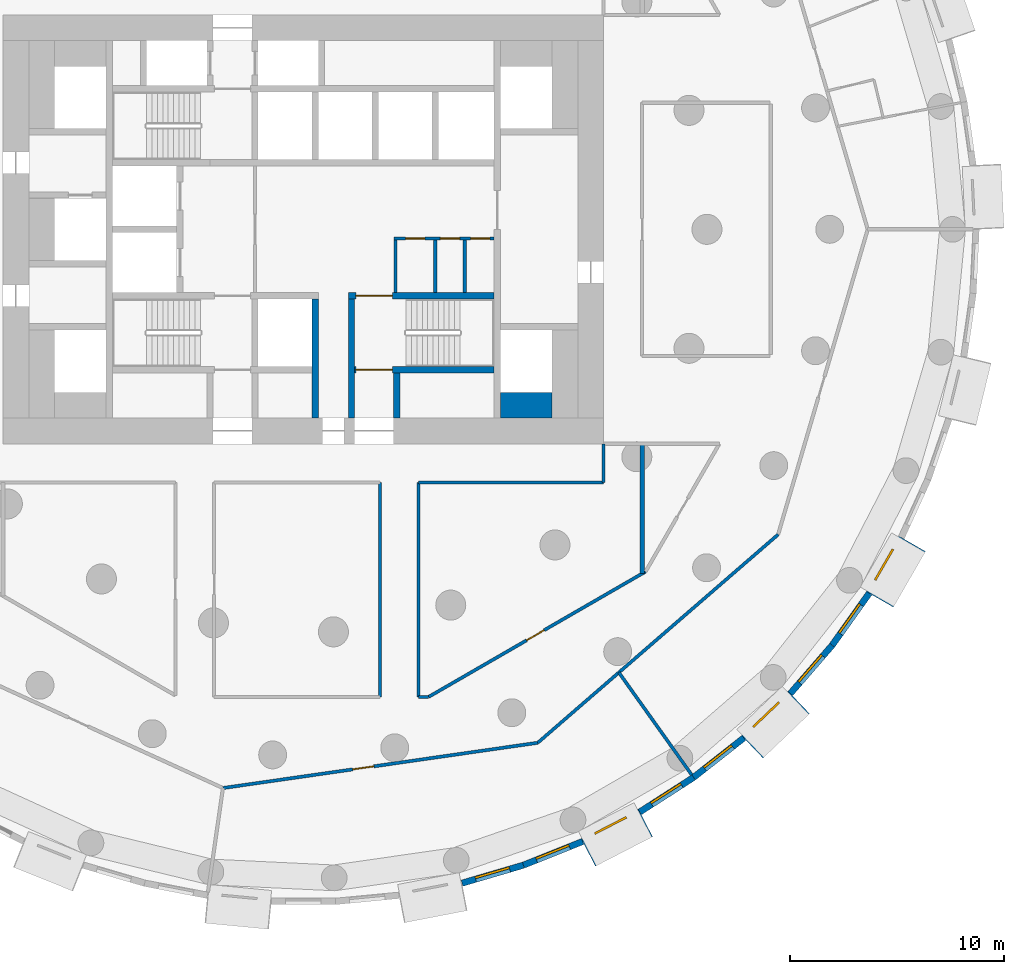
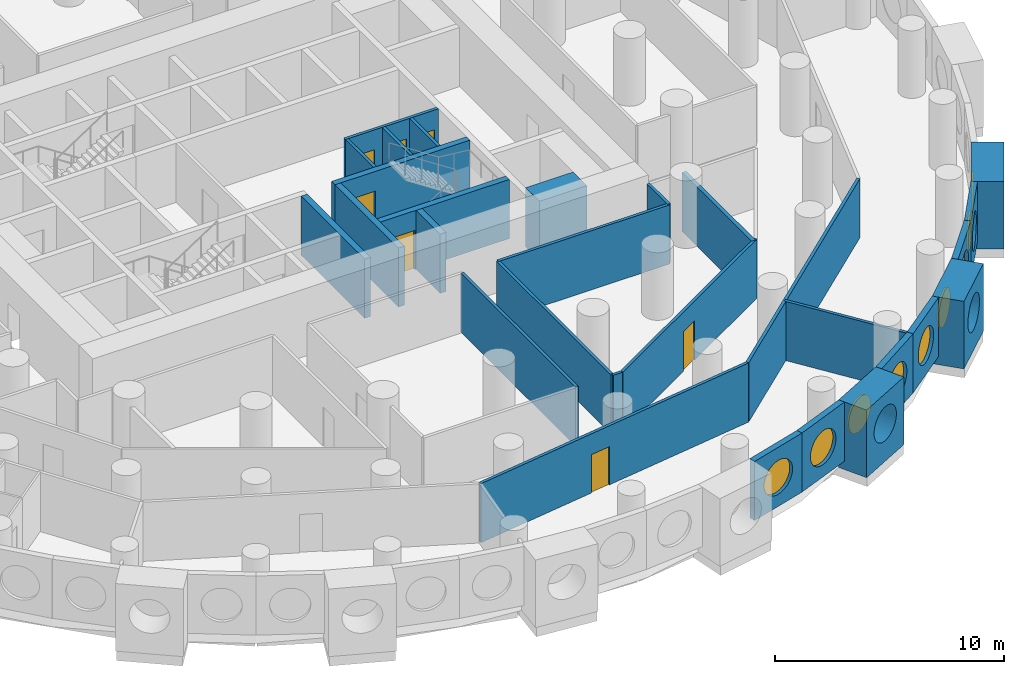
# One storey, part 5 of 12: 29 walls, 9 windows, 7 doors, 16 openings.
"""IFC4 building model written with IfcOpenShell, lengths in metres."""

from ifc_helpers import new_model, si_unit, direction, frame, frame_2d, origin, origin_2d, place, context, subcontext, project, spatial, rectangle, circle, extrude, material, layer, layer_set, type_object, element, fill, save


model = new_model("IFC4")

# Units and contexts
model_context = context("Model", 3, precision=1e-05, world=origin(), true_north=direction((0.0, 1.0)))
body_context = subcontext(model_context, "Body", "Model", "MODEL_VIEW")
ifc_project = project(units=[si_unit("LENGTHUNIT", "METRE"), si_unit("AREAUNIT", "SQUARE_METRE"), si_unit("VOLUMEUNIT", "CUBIC_METRE"), si_unit("PLANEANGLEUNIT", "RADIAN"), si_unit("MASSUNIT", "GRAM", prefix="KILO")], contexts=[model_context])

# Site, building, storey
site_placement = place(None, origin())
site = spatial("IfcSite", under=ifc_project, at=site_placement, CompositionType="ELEMENT")
building_placement = place(site_placement, origin())
building = spatial("IfcBuilding", under=site, at=building_placement, Name="Tracery Tower", CompositionType="ELEMENT")
storey_placement = place(building_placement, frame((0.0, 0.0, 82.199951171875)))
storey = spatial("IfcBuildingStorey", under=building, at=storey_placement, Name="L20", CompositionType="ELEMENT", Elevation=82.199951171875)

# Wall
ifc_material_1 = material(Name="Plasterboard on steel studs", Category="steel")
ifc_layer_1 = layer(ifc_material_1, 0.14990234375)
ifc_layer_set_1 = layer_set([ifc_layer_1], Name="Core room partition 150")
wall_type_1 = type_object("IfcWallType", Name="Core room partition 150", PredefinedType="SOLIDWALL", material=ifc_layer_set_1)
wall_1_placement = place(storey_placement, frame((4.300048828125, -2.949951171875, 0.0), z_axis=(0.0, 0.0, 1.0), x_axis=(0.0, 1.0, 0.0)))
element("IfcWall", 1, at=wall_1_placement, inside=storey, type_object=wall_type_1, Name="L20 slot W", PredefinedType="SOLIDWALL", context=body_context, shape_type="SweptSolid", body=[
    extrude(rectangle(XDim=2.449951171875, YDim=0.14990234375, at=frame_2d((1.22509765625, 0.0))), origin(), (0.0, 0.0, 1.0), 3.150146484375),
])

# Wall, openings, doors
wall_2_placement = place(storey_placement, frame((4.22509765625, -0.425048828125, 0.0), z_axis=(0.0, 0.0, 1.0), x_axis=(1.0, 0.0, 0.0)))
wall_2 = element("IfcWall", 2, at=wall_2_placement, inside=storey, type_object=wall_type_1, Name="L20 slot N", PredefinedType="SOLIDWALL", context=body_context, shape_type="SweptSolid", body=[
    extrude(rectangle(XDim=4.6748046875, YDim=0.14990234375, at=frame_2d((2.33740234375, 0.0))), origin(), (0.0, 0.0, 1.0), 3.150146484375),
])
opening_1_placement = place(wall_2_placement, frame((0.550048828125, 0.0, 0.0)))
opening_1 = element("IfcOpeningElement", 3, at=opening_1_placement, cuts=wall_2, Name="Opening KD22", PredefinedType="OPENING", context=body_context, shape_type="SweptSolid", body=[
    extrude(rectangle(XDim=0.89990234375, YDim=2.10009765625, at=frame_2d((0.449951171875, 1.050048828125))), frame((0.0, 0.074951171875, 0.0), z_axis=(0.0, -1.0, 0.0), x_axis=(1.0, 0.0, 0.0)), (0.0, 0.0, 1.0), 0.14990234375),
])
opening_2_placement = place(wall_2_placement, frame((2.16259765625, 0.0, 0.0)))
opening_2 = element("IfcOpeningElement", 4, at=opening_2_placement, cuts=wall_2, Name="Opening KD31", PredefinedType="OPENING", context=body_context, shape_type="SweptSolid", body=[
    extrude(rectangle(XDim=0.89990234375, YDim=2.10009765625, at=frame_2d((0.449951171875, 1.050048828125))), frame((0.0, 0.074951171875, 0.0), z_axis=(0.0, -1.0, 0.0), x_axis=(1.0, 0.0, 0.0)), (0.0, 0.0, 1.0), 0.14990234375),
])
opening_3_placement = place(wall_2_placement, frame((3.574951171875, 0.0, 0.0)))
opening_3 = element("IfcOpeningElement", 5, at=opening_3_placement, cuts=wall_2, Name="Opening KD27", PredefinedType="OPENING", context=body_context, shape_type="SweptSolid", body=[
    extrude(rectangle(XDim=0.89990234375, YDim=2.10009765625, at=frame_2d((0.449951171875, 1.050048828125))), frame((0.0, 0.074951171875, 0.0), z_axis=(0.0, -1.0, 0.0), x_axis=(1.0, 0.0, 0.0)), (0.0, 0.0, 1.0), 0.14990234375),
])
ifc_material_2 = material(Name="Timber door leaf", Category="wood")
door_type_1 = type_object("IfcDoorType", Name="Core WC door 900", OperationType="NOTDEFINED", PredefinedType="DOOR", material=ifc_material_2)
door_1_placement = place(opening_1_placement, origin())
door_1 = element("IfcDoor", 6, at=door_1_placement, inside=storey, type_object=door_type_1, Name="Core door", OperationType="SINGLE_SWING_RIGHT", OverallHeight=2.10009765625, OverallWidth=0.89990234375, PredefinedType="DOOR", context=body_context, shape_type="SweptSolid", body=[
    extrude(rectangle(XDim=0.89990234375, YDim=2.10009765625, at=frame_2d((0.449951171875, 1.050048828125))), frame((0.0, 0.02490234375, 0.0), z_axis=(0.0, -1.0, 0.0), x_axis=(1.0, 0.0, 0.0)), (0.0, 0.0, 1.0), 0.050048828125),
])
fill(opening_1, door_1)
ifc_material_3 = material(Name="Steel fire door", Category="steel")
door_type_2 = type_object("IfcDoorType", Name="Core riser door 900", OperationType="NOTDEFINED", PredefinedType="DOOR", material=ifc_material_3)
door_2_placement = place(opening_2_placement, origin())
door_2 = element("IfcDoor", 7, at=door_2_placement, inside=storey, type_object=door_type_2, Name="Core door", OperationType="SINGLE_SWING_LEFT", OverallHeight=2.10009765625, OverallWidth=0.89990234375, PredefinedType="DOOR", context=body_context, shape_type="SweptSolid", body=[
    extrude(rectangle(XDim=0.89990234375, YDim=2.10009765625, at=frame_2d((0.449951171875, 1.050048828125))), frame((0.0, 0.02490234375, 0.0), z_axis=(0.0, -1.0, 0.0), x_axis=(1.0, 0.0, 0.0)), (0.0, 0.0, 1.0), 0.050048828125),
])
fill(opening_2, door_2)
ifc_material_4 = material(Name="Timber door leaf", Category="wood")
door_type_3 = type_object("IfcDoorType", Name="Core store door 900", OperationType="NOTDEFINED", PredefinedType="DOOR", material=ifc_material_4)
door_3_placement = place(opening_3_placement, origin())
door_3 = element("IfcDoor", 8, at=door_3_placement, inside=storey, type_object=door_type_3, Name="Core door", OperationType="SINGLE_SWING_RIGHT", OverallHeight=2.10009765625, OverallWidth=0.89990234375, PredefinedType="DOOR", context=body_context, shape_type="SweptSolid", body=[
    extrude(rectangle(XDim=0.89990234375, YDim=2.10009765625, at=frame_2d((0.449951171875, 1.050048828125))), frame((0.0, 0.02490234375, 0.0), z_axis=(0.0, -1.0, 0.0), x_axis=(1.0, 0.0, 0.0)), (0.0, 0.0, 1.0), 0.050048828125),
])
fill(opening_3, door_3)

# Walls
for number, where, z_axis, x_axis, name in (
    (9, (6.14990234375, -2.949951171875, 0.0), (0.0, 0.0, 1.0), (0.0, 1.0, 0.0), "L20 slot sep 1"),
    (10, (7.52490234375, -2.949951171875, 0.0), (0.0, 0.0, 1.0), (0.0, 1.0, 0.0), "L20 slot sep 2"),
):
    element("IfcWall", number, at=place(storey_placement, frame(where, z_axis=z_axis, x_axis=x_axis)), inside=storey, type_object=wall_type_1, Name=name, PredefinedType="SOLIDWALL", context=body_context, shape_type="SweptSolid", body=[
        extrude(rectangle(XDim=2.449951171875, YDim=0.14990234375, at=frame_2d((1.22509765625, 0.0))), origin(), (0.0, 0.0, 1.0), 3.150146484375),
    ])
ifc_material_5 = material(Name="Concrete C60/75", Category="concrete")
ifc_layer_2 = layer(ifc_material_5, 1.199951171875)
ifc_layer_set_2 = layer_set([ifc_layer_2], Name="Core strip wall 1200 C60")
wall_type_2 = type_object("IfcWallType", Name="Core strip wall 1200 C60", PredefinedType="SOLIDWALL", material=ifc_layer_set_2)
wall_3_placement = place(storey_placement, frame((9.199951171875, -8.199951171875, 0.0), z_axis=(0.0, 0.0, 1.0), x_axis=(1.0, 0.0, 0.0)))
element("IfcWall", 11, at=wall_3_placement, inside=storey, type_object=wall_type_2, Name="L20 wing corner +1 -8.2", PredefinedType="SOLIDWALL", context=body_context, shape_type="SweptSolid", body=[
    extrude(rectangle(XDim=2.400146484375, YDim=1.199951171875, at=frame_2d((1.2001953125, 0.0))), origin(), (0.0, 0.0, 1.0), 3.150146484375),
])

# Wall, opening, window
ifc_material_6 = material(Name="Precast concrete C50/60", Category="concrete")
ifc_layer_3 = layer(ifc_material_6, 1.449951171875)
ifc_layer_set_3 = layer_set([ifc_layer_3], Name="Deep-set bay unit 3000 x 3600, slab edge 450")
wall_type_3 = type_object("IfcWallType", Name="Deep-set bay unit 3000 x 3600, slab edge 450", PredefinedType="ELEMENTEDWALL", material=ifc_layer_set_3)
wall_4_placement = place(storey_placement, frame((13.29052734375, -29.053466796875, -0.449951171875), z_axis=(0.0, 0.0, 1.0), x_axis=(0.888858064689, 0.458182650083, 0.0)))
wall_4 = element("IfcWall", 12, at=wall_4_placement, inside=storey, type_object=wall_type_3, Name="Deep-set bay unit 55 at L20", PredefinedType="ELEMENTEDWALL", context=body_context, shape_type="SweptSolid", body=[
    extrude(rectangle(XDim=3.0, YDim=1.449951171875, at=frame_2d((1.5, 0.0))), origin(), (0.0, 0.0, 1.0), 3.60009765625),
])
opening_4_placement = place(wall_4_placement, frame((1.5, 0.0, 2.0)))
opening_4 = element("IfcOpeningElement", 13, at=opening_4_placement, cuts=wall_4, Name="Opening WN1", PredefinedType="OPENING", context=body_context, shape_type="SweptSolid", body=[
    extrude(circle(Radius=0.9000244140625, at=origin_2d()), frame((0.0, 0.73486328125, 0.0), z_axis=(0.0, -1.0, 0.0), x_axis=(1.0, 0.0, 0.0)), (0.0, 0.0, 1.0), 1.469970703125),
])
ifc_material_7 = material(Name="Aluminium frame with tinted double glazing", Category="aluminium")
window_type = type_object("IfcWindowType", Name="Round window 1800", PartitioningType="SINGLE_PANEL", PredefinedType="WINDOW", material=ifc_material_7)
window_1_placement = place(opening_4_placement, origin())
window_1 = element("IfcWindow", 14, at=window_1_placement, inside=storey, type_object=window_type, Name="Round window 55 at L20", OverallHeight=1.800048828125, OverallWidth=1.800048828125, PartitioningType="SINGLE_PANEL", PredefinedType="WINDOW", context=body_context, shape_type="SweptSolid", body=[
    extrude(circle(Radius=0.9000244140625, at=origin_2d()), frame((0.0, 0.69482421875, 0.0), z_axis=(0.0, -1.0, 0.0), x_axis=(1.0, 0.0, 0.0)), (0.0, 0.0, 1.0), 0.10009765625),
])
fill(opening_4, window_1)

wall_5_placement = place(storey_placement, frame((20.9375, -24.13232421875, -0.449951171875), z_axis=(0.0, 0.0, 1.0), x_axis=(0.723712023899, 0.690102098579, 0.0)))
wall_5 = element("IfcWall", 15, at=wall_5_placement, inside=storey, type_object=wall_type_3, Name="Deep-set bay unit 58 at L20", PredefinedType="ELEMENTEDWALL", context=body_context, shape_type="SweptSolid", body=[
    extrude(rectangle(XDim=3.0, YDim=1.449951171875, at=frame_2d((1.5, 0.0))), origin(), (0.0, 0.0, 1.0), 3.60009765625),
])
opening_5_placement = place(wall_5_placement, frame((1.5, 0.0, 2.0)))
opening_5 = element("IfcOpeningElement", 16, at=opening_5_placement, cuts=wall_5, Name="Opening WN1", PredefinedType="OPENING", context=body_context, shape_type="SweptSolid", body=[
    extrude(circle(Radius=0.9000244140625, at=origin_2d()), frame((0.0, 0.73486328125, 0.0), z_axis=(0.0, -1.0, 0.0), x_axis=(1.0, 0.0, 0.0)), (0.0, 0.0, 1.0), 1.469970703125),
])
window_2_placement = place(opening_5_placement, origin())
window_2 = element("IfcWindow", 17, at=window_2_placement, inside=storey, type_object=window_type, Name="Round window 58 at L20", OverallHeight=1.800048828125, OverallWidth=1.800048828125, PartitioningType="SINGLE_PANEL", PredefinedType="WINDOW", context=body_context, shape_type="SweptSolid", body=[
    extrude(circle(Radius=0.9000244140625, at=origin_2d()), frame((0.0, 0.69482421875, 0.0), z_axis=(0.0, -1.0, 0.0), x_axis=(1.0, 0.0, 0.0)), (0.0, 0.0, 1.0), 0.10009765625),
])
fill(opening_5, window_2)

wall_6_placement = place(storey_placement, frame((26.88818359375, -17.256103515625, -0.449951171875), z_axis=(0.0, 0.0, 1.0), x_axis=(0.499990139034, 0.866031096941, 0.0)))
wall_6 = element("IfcWall", 18, at=wall_6_placement, inside=storey, type_object=wall_type_3, Name="Deep-set bay unit 61 at L20", PredefinedType="ELEMENTEDWALL", context=body_context, shape_type="SweptSolid", body=[
    extrude(rectangle(XDim=3.0, YDim=1.449951171875, at=frame_2d((1.5, 0.0))), origin(), (0.0, 0.0, 1.0), 3.60009765625),
])
opening_6_placement = place(wall_6_placement, frame((1.5, 0.0, 2.0)))
opening_6 = element("IfcOpeningElement", 19, at=opening_6_placement, cuts=wall_6, Name="Opening WN1", PredefinedType="OPENING", context=body_context, shape_type="SweptSolid", body=[
    extrude(circle(Radius=0.9000244140625, at=origin_2d()), frame((0.0, 0.73486328125, 0.0), z_axis=(0.0, -1.0, 0.0), x_axis=(1.0, 0.0, 0.0)), (0.0, 0.0, 1.0), 1.469970703125),
])
window_3_placement = place(opening_6_placement, origin())
window_3 = element("IfcWindow", 20, at=window_3_placement, inside=storey, type_object=window_type, Name="Round window 61 at L20", OverallHeight=1.800048828125, OverallWidth=1.800048828125, PartitioningType="SINGLE_PANEL", PredefinedType="WINDOW", context=body_context, shape_type="SweptSolid", body=[
    extrude(circle(Radius=0.9000244140625, at=origin_2d()), frame((0.0, 0.69482421875, 0.0), z_axis=(0.0, -1.0, 0.0), x_axis=(1.0, 0.0, 0.0)), (0.0, 0.0, 1.0), 0.10009765625),
])
fill(opening_6, window_3)

ifc_material_8 = material(Name="Precast concrete C50/60", Category="concrete")
ifc_layer_4 = layer(ifc_material_8, 0.300048828125)
ifc_layer_set_4 = layer_set([ifc_layer_4], Name="Facade panel 3000 x 3150")
wall_type_4 = type_object("IfcWallType", Name="Facade panel 3000 x 3150", PredefinedType="SOLIDWALL", material=ifc_layer_set_4)
wall_7_placement = place(storey_placement, frame((7.402587890625, -30.48828125, 0.0), z_axis=(0.0, 0.0, 1.0), x_axis=(0.959501085144, 0.281704930036, 0.0)))
wall_7 = element("IfcWall", 21, at=wall_7_placement, inside=storey, type_object=wall_type_4, Name="Facade panel 53 at L20", PredefinedType="SOLIDWALL", context=body_context, shape_type="SweptSolid", body=[
    extrude(rectangle(XDim=2.9794921875, YDim=0.300048828125, at=frame_2d((1.48974609375, 0.0))), origin(), (0.0, 0.0, 1.0), 3.150146484375),
])
opening_7_placement = place(wall_7_placement, frame((1.48974609375, 0.0, 1.5498046875)))
opening_7 = element("IfcOpeningElement", 22, at=opening_7_placement, cuts=wall_7, Name="Opening WN1", PredefinedType="OPENING", context=body_context, shape_type="SweptSolid", body=[
    extrude(circle(Radius=0.9000244140625, at=origin_2d()), frame((0.0, 0.159912109375, 0.0), z_axis=(0.0, -1.0, 0.0), x_axis=(1.0, 0.0, 0.0)), (0.0, 0.0, 1.0), 0.320068359375),
])
window_4_placement = place(opening_7_placement, origin())
window_4 = element("IfcWindow", 23, at=window_4_placement, inside=storey, type_object=window_type, Name="Round window 53 at L20", OverallHeight=1.800048828125, OverallWidth=1.800048828125, PartitioningType="SINGLE_PANEL", PredefinedType="WINDOW", context=body_context, shape_type="SweptSolid", body=[
    extrude(circle(Radius=0.9000244140625, at=origin_2d()), frame((0.0, 0.1201171875, 0.0), z_axis=(0.0, -1.0, 0.0), x_axis=(1.0, 0.0, 0.0)), (0.0, 0.0, 1.0), 0.10009765625),
])
fill(opening_7, window_4)

wall_8_placement = place(storey_placement, frame((10.261474609375, -29.64892578125, 0.0), z_axis=(0.0, 0.0, 1.0), x_axis=(0.928374947, 0.371644935098, 0.0)))
wall_8 = element("IfcWall", 24, at=wall_8_placement, inside=storey, type_object=wall_type_4, Name="Facade panel 54 at L20", PredefinedType="SOLIDWALL", context=body_context, shape_type="SweptSolid", body=[
    extrude(rectangle(XDim=2.979736328125, YDim=0.300048828125, at=frame_2d((1.48974609375, 0.0))), origin(), (0.0, 0.0, 1.0), 3.150146484375),
])
opening_8_placement = place(wall_8_placement, frame((1.48974609375, 0.0, 1.5498046875)))
opening_8 = element("IfcOpeningElement", 25, at=opening_8_placement, cuts=wall_8, Name="Opening WN1", PredefinedType="OPENING", context=body_context, shape_type="SweptSolid", body=[
    extrude(circle(Radius=0.9000244140625, at=origin_2d()), frame((0.0, 0.159912109375, 0.0), z_axis=(0.0, -1.0, 0.0), x_axis=(1.0, 0.0, 0.0)), (0.0, 0.0, 1.0), 0.320068359375),
])
window_5_placement = place(opening_8_placement, origin())
window_5 = element("IfcWindow", 26, at=window_5_placement, inside=storey, type_object=window_type, Name="Round window 54 at L20", OverallHeight=1.800048828125, OverallWidth=1.800048828125, PartitioningType="SINGLE_PANEL", PredefinedType="WINDOW", context=body_context, shape_type="SweptSolid", body=[
    extrude(circle(Radius=0.9000244140625, at=origin_2d()), frame((0.0, 0.1201171875, 0.0), z_axis=(0.0, -1.0, 0.0), x_axis=(1.0, 0.0, 0.0)), (0.0, 0.0, 1.0), 0.10009765625),
])
fill(opening_8, window_5)

wall_9_placement = place(storey_placement, frame((15.6923828125, -27.167724609375, 0.0), z_axis=(0.0, 0.0, 1.0), x_axis=(0.841260995538, 0.54062920508, 0.0)))
wall_9 = element("IfcWall", 27, at=wall_9_placement, inside=storey, type_object=wall_type_4, Name="Facade panel 56 at L20", PredefinedType="SOLIDWALL", context=body_context, shape_type="SweptSolid", body=[
    extrude(rectangle(XDim=2.9794921875, YDim=0.300048828125, at=frame_2d((1.48974609375, 0.0))), origin(), (0.0, 0.0, 1.0), 3.150146484375),
])
opening_9_placement = place(wall_9_placement, frame((1.48974609375, 0.0, 1.5498046875)))
opening_9 = element("IfcOpeningElement", 28, at=opening_9_placement, cuts=wall_9, Name="Opening WN1", PredefinedType="OPENING", context=body_context, shape_type="SweptSolid", body=[
    extrude(circle(Radius=0.9000244140625, at=origin_2d()), frame((0.0, 0.159912109375, 0.0), z_axis=(0.0, -1.0, 0.0), x_axis=(1.0, 0.0, 0.0)), (0.0, 0.0, 1.0), 0.320068359375),
])
window_6_placement = place(opening_9_placement, origin())
window_6 = element("IfcWindow", 29, at=window_6_placement, inside=storey, type_object=window_type, Name="Round window 56 at L20", OverallHeight=1.800048828125, OverallWidth=1.800048828125, PartitioningType="SINGLE_PANEL", PredefinedType="WINDOW", context=body_context, shape_type="SweptSolid", body=[
    extrude(circle(Radius=0.9000244140625, at=origin_2d()), frame((0.0, 0.1201171875, 0.0), z_axis=(0.0, -1.0, 0.0), x_axis=(1.0, 0.0, 0.0)), (0.0, 0.0, 1.0), 0.10009765625),
])
fill(opening_9, window_6)

wall_10_placement = place(storey_placement, frame((18.198974609375, -25.556884765625, 0.0), z_axis=(0.0, 0.0, 1.0), x_axis=(0.786053834673, 0.618158045322, 0.0)))
wall_10 = element("IfcWall", 30, at=wall_10_placement, inside=storey, type_object=wall_type_4, Name="Facade panel 57 at L20", PredefinedType="SOLIDWALL", context=body_context, shape_type="SweptSolid", body=[
    extrude(rectangle(XDim=2.9794921875, YDim=0.300048828125, at=frame_2d((1.48974609375, 0.0))), origin(), (0.0, 0.0, 1.0), 3.150146484375),
])
opening_10_placement = place(wall_10_placement, frame((1.48974609375, 0.0, 1.5498046875)))
opening_10 = element("IfcOpeningElement", 31, at=opening_10_placement, cuts=wall_10, Name="Opening WN1", PredefinedType="OPENING", context=body_context, shape_type="SweptSolid", body=[
    extrude(circle(Radius=0.9000244140625, at=origin_2d()), frame((0.0, 0.159912109375, 0.0), z_axis=(0.0, -1.0, 0.0), x_axis=(1.0, 0.0, 0.0)), (0.0, 0.0, 1.0), 0.320068359375),
])
window_7_placement = place(opening_10_placement, origin())
window_7 = element("IfcWindow", 32, at=window_7_placement, inside=storey, type_object=window_type, Name="Round window 57 at L20", OverallHeight=1.800048828125, OverallWidth=1.800048828125, PartitioningType="SINGLE_PANEL", PredefinedType="WINDOW", context=body_context, shape_type="SweptSolid", body=[
    extrude(circle(Radius=0.9000244140625, at=origin_2d()), frame((0.0, 0.1201171875, 0.0), z_axis=(0.0, -1.0, 0.0), x_axis=(1.0, 0.0, 0.0)), (0.0, 0.0, 1.0), 0.10009765625),
])
fill(opening_10, window_7)

wall_11_placement = place(storey_placement, frame((22.710693359375, -21.646240234375, 0.0), z_axis=(0.0, 0.0, 1.0), x_axis=(0.654830712471, 0.755775587066, 0.0)))
wall_11 = element("IfcWall", 33, at=wall_11_placement, inside=storey, type_object=wall_type_4, Name="Facade panel 59 at L20", PredefinedType="SOLIDWALL", context=body_context, shape_type="SweptSolid", body=[
    extrude(rectangle(XDim=2.979736328125, YDim=0.300048828125, at=frame_2d((1.48974609375, 0.0))), origin(), (0.0, 0.0, 1.0), 3.150146484375),
])
opening_11_placement = place(wall_11_placement, frame((1.48974609375, 0.0, 1.5498046875)))
opening_11 = element("IfcOpeningElement", 34, at=opening_11_placement, cuts=wall_11, Name="Opening WN1", PredefinedType="OPENING", context=body_context, shape_type="SweptSolid", body=[
    extrude(circle(Radius=0.9000244140625, at=origin_2d()), frame((0.0, 0.159912109375, 0.0), z_axis=(0.0, -1.0, 0.0), x_axis=(1.0, 0.0, 0.0)), (0.0, 0.0, 1.0), 0.320068359375),
])
window_8_placement = place(opening_11_placement, origin())
window_8 = element("IfcWindow", 35, at=window_8_placement, inside=storey, type_object=window_type, Name="Round window 59 at L20", OverallHeight=1.800048828125, OverallWidth=1.800048828125, PartitioningType="SINGLE_PANEL", PredefinedType="WINDOW", context=body_context, shape_type="SweptSolid", body=[
    extrude(circle(Radius=0.9000244140625, at=origin_2d()), frame((0.0, 0.1201171875, 0.0), z_axis=(0.0, -1.0, 0.0), x_axis=(1.0, 0.0, 0.0)), (0.0, 0.0, 1.0), 0.10009765625),
])
fill(opening_11, window_8)

wall_12_placement = place(storey_placement, frame((24.661865234375, -19.394287109375, 0.0), z_axis=(0.0, 0.0, 1.0), x_axis=(0.580113774115, 0.814535456, 0.0)))
wall_12 = element("IfcWall", 36, at=wall_12_placement, inside=storey, type_object=wall_type_4, Name="Facade panel 60 at L20", PredefinedType="SOLIDWALL", context=body_context, shape_type="SweptSolid", body=[
    extrude(rectangle(XDim=2.979736328125, YDim=0.300048828125, at=frame_2d((1.48974609375, 0.0))), origin(), (0.0, 0.0, 1.0), 3.150146484375),
])
opening_12_placement = place(wall_12_placement, frame((1.48974609375, 0.0, 1.5498046875)))
opening_12 = element("IfcOpeningElement", 37, at=opening_12_placement, cuts=wall_12, Name="Opening WN1", PredefinedType="OPENING", context=body_context, shape_type="SweptSolid", body=[
    extrude(circle(Radius=0.9000244140625, at=origin_2d()), frame((0.0, 0.159912109375, 0.0), z_axis=(0.0, -1.0, 0.0), x_axis=(1.0, 0.0, 0.0)), (0.0, 0.0, 1.0), 0.320068359375),
])
window_9_placement = place(opening_12_placement, origin())
window_9 = element("IfcWindow", 38, at=window_9_placement, inside=storey, type_object=window_type, Name="Round window 60 at L20", OverallHeight=1.800048828125, OverallWidth=1.800048828125, PartitioningType="SINGLE_PANEL", PredefinedType="WINDOW", context=body_context, shape_type="SweptSolid", body=[
    extrude(circle(Radius=0.9000244140625, at=origin_2d()), frame((0.0, 0.1201171875, 0.0), z_axis=(0.0, -1.0, 0.0), x_axis=(1.0, 0.0, 0.0)), (0.0, 0.0, 1.0), 0.10009765625),
])
fill(opening_12, window_9)

# Walls
ifc_material_9 = material(Name="Plasterboard on steel studs", Category="steel")
ifc_layer_5 = layer(ifc_material_9, 0.14990234375)
ifc_layer_set_5 = layer_set([ifc_layer_5], Name="Partition 150 acoustic unit wall")
wall_type_5 = type_object("IfcWallType", Name="Partition 150 acoustic unit wall", PredefinedType="PARTITIONING", material=ifc_layer_set_5)
wall_13_placement = place(storey_placement, frame((14.715087890625, -20.6640625, 0.0), z_axis=(0.0, 0.0, 1.0), x_axis=(0.580007254017, -0.814611309329, 0.0)))
element("IfcWall", 39, at=wall_13_placement, inside=storey, type_object=wall_type_5, Name="Unit wall RA6-099", PredefinedType="PARTITIONING", context=body_context, shape_type="SweptSolid", body=[
    extrude(rectangle(XDim=5.856689453125, YDim=0.14990234375, at=frame_2d((2.92822265625, 0.0))), origin(), (0.0, 0.0, 1.0), 3.150146484375),
])
ifc_material_10 = material(Name="Plasterboard on steel studs", Category="steel")
ifc_layer_6 = layer(ifc_material_10, 0.14990234375)
ifc_layer_set_6 = layer_set([ifc_layer_6], Name="Partition 150 corridor wall")
wall_type_6 = type_object("IfcWallType", Name="Partition 150 corridor wall", PredefinedType="PARTITIONING", material=ifc_layer_set_6)
wall_14_placement = place(storey_placement, frame((14.0, -11.800048828125, 0.0), z_axis=(0.0, 0.0, 1.0), x_axis=(0.0, 1.0, 0.0)))
element("IfcWall", 40, at=wall_14_placement, inside=storey, type_object=wall_type_6, Name="Corridor wall RA6-008", PredefinedType="PARTITIONING", context=body_context, shape_type="SweptSolid", body=[
    extrude(rectangle(XDim=1.800048828125, YDim=0.14990234375, at=frame_2d((0.89990234375, 0.0))), origin(), (0.0, 0.0, 1.0), 3.150146484375),
])
wall_15_placement = place(storey_placement, frame((5.3720703125, -11.800048828125, 0.0), z_axis=(0.0, 0.0, 1.0), x_axis=(1.0, 0.0, 0.0)))
element("IfcWall", 41, at=wall_15_placement, inside=storey, type_object=wall_type_6, Name="Corridor wall RA6-009", PredefinedType="PARTITIONING", context=body_context, shape_type="SweptSolid", body=[
    extrude(rectangle(XDim=8.6279296875, YDim=0.14990234375, at=frame_2d((4.31396484375, 0.0))), origin(), (0.0, 0.0, 1.0), 3.150146484375),
])
wall_16_placement = place(storey_placement, frame((10.93310546875, -23.940185546875, 0.0), z_axis=(0.0, 0.0, 1.0), x_axis=(0.755770011705, 0.654837147242, 0.0)))
element("IfcWall", 42, at=wall_16_placement, inside=storey, type_object=wall_type_6, Name="Corridor wall RA6-023", PredefinedType="PARTITIONING", context=body_context, shape_type="SweptSolid", body=[
    extrude(rectangle(XDim=14.829833984375, YDim=0.14990234375, at=frame_2d((7.4150390625, 0.0))), origin(), (0.0, 0.0, 1.0), 3.150146484375),
])
for number, where, z_axis, x_axis, name in (
    (43, (3.575927734375, -21.802001953125, 0.0), (0.0, 0.0, 1.0), (0.0, 1.0, 0.0), "Corridor wall RA6-048"),
    (44, (5.3759765625, -21.802001953125, 0.0), (0.0, 0.0, 1.0), (0.0, 1.0, 0.0), "Corridor wall RA6-049"),
):
    element("IfcWall", number, at=place(storey_placement, frame(where, z_axis=z_axis, x_axis=x_axis)), inside=storey, type_object=wall_type_6, Name=name, PredefinedType="PARTITIONING", context=body_context, shape_type="SweptSolid", body=[
        extrude(rectangle(XDim=10.001953125, YDim=0.14990234375, at=frame_2d((5.0009765625, 0.0))), origin(), (0.0, 0.0, 1.0), 3.150146484375),
    ])
wall_17_placement = place(storey_placement, frame((5.3759765625, -21.802001953125, 0.0), z_axis=(0.0, 0.0, 1.0), x_axis=(1.0, 0.0, 0.0)))
element("IfcWall", 45, at=wall_17_placement, inside=storey, type_object=wall_type_6, Name="Corridor wall RA6-050", PredefinedType="PARTITIONING", context=body_context, shape_type="SweptSolid", body=[
    extrude(rectangle(XDim=0.466064453125, YDim=0.14990234375, at=frame_2d((0.23291015625, 0.0))), origin(), (0.0, 0.0, 1.0), 3.150146484375),
])

# Wall, opening, door
wall_18_placement = place(storey_placement, frame((5.842041015625, -21.802001953125, 0.0), z_axis=(0.0, 0.0, 1.0), x_axis=(0.866031778836, 0.499988957924, 0.0)))
wall_18 = element("IfcWall", 46, at=wall_18_placement, inside=storey, type_object=wall_type_6, Name="Corridor wall RA6-051", PredefinedType="PARTITIONING", context=body_context, shape_type="SweptSolid", body=[
    extrude(rectangle(XDim=11.683349609375, YDim=0.14990234375, at=frame_2d((5.841796875, 0.0))), origin(), (0.0, 0.0, 1.0), 3.150146484375),
])
opening_13_placement = place(wall_18_placement, frame((5.27392578125, 0.0, 0.0)))
opening_13 = element("IfcOpeningElement", 47, at=opening_13_placement, cuts=wall_18, Name="Opening RA6-06", PredefinedType="OPENING", context=body_context, shape_type="SweptSolid", body=[
    extrude(rectangle(XDim=0.949951171875, YDim=2.10009765625, at=frame_2d((0.47509765625, 1.050048828125))), frame((0.0, 0.074951171875, 0.0), z_axis=(0.0, -1.0, 0.0), x_axis=(1.0, 0.0, 0.0)), (0.0, 0.0, 1.0), 0.14990234375),
])
ifc_material_11 = material(Name="Timber door leaf", Category="wood")
door_type_4 = type_object("IfcDoorType", Name="Door store 950", OperationType="NOTDEFINED", PredefinedType="DOOR", material=ifc_material_11)
door_4_placement = place(opening_13_placement, origin())
door_4 = element("IfcDoor", 48, at=door_4_placement, inside=storey, type_object=door_type_4, Name="Store door RA6-06", OperationType="SINGLE_SWING_LEFT", OverallHeight=2.10009765625, OverallWidth=0.949951171875, PredefinedType="DOOR", context=body_context, shape_type="SweptSolid", body=[
    extrude(rectangle(XDim=0.949951171875, YDim=2.10009765625, at=frame_2d((0.47509765625, 1.050048828125))), frame((0.0, 0.02490234375, 0.0), z_axis=(0.0, -1.0, 0.0), x_axis=(1.0, 0.0, 0.0)), (0.0, 0.0, 1.0), 0.050048828125),
])
fill(opening_13, door_4)

wall_19_placement = place(storey_placement, frame((-3.74609375, -26.051025390625, 0.0), z_axis=(0.0, 0.0, 1.0), x_axis=(0.98981637125, 0.142350100825, 0.0)))
wall_19 = element("IfcWall", 49, at=wall_19_placement, inside=storey, type_object=wall_type_6, Name="Corridor wall RA6-053", PredefinedType="PARTITIONING", context=body_context, shape_type="SweptSolid", body=[
    extrude(rectangle(XDim=14.830322265625, YDim=0.14990234375, at=frame_2d((7.4150390625, 0.0))), origin(), (0.0, 0.0, 1.0), 3.150146484375),
])
opening_14_placement = place(wall_19_placement, frame((6.114990234375, 0.0, 0.0)))
opening_14 = element("IfcOpeningElement", 50, at=opening_14_placement, cuts=wall_19, Name="Opening RA6-41", PredefinedType="OPENING", context=body_context, shape_type="SweptSolid", body=[
    extrude(rectangle(XDim=1.0, YDim=2.0400390625, at=frame_2d((0.5, 1.02001953125))), frame((0.0, 0.074951171875, 0.0), z_axis=(0.0, -1.0, 0.0), x_axis=(1.0, 0.0, 0.0)), (0.0, 0.0, 1.0), 0.14990234375),
])
ifc_material_12 = material(Name="Timber door leaf", Category="wood")
door_type_5 = type_object("IfcDoorType", Name="Door communal room 1000", OperationType="NOTDEFINED", PredefinedType="DOOR", material=ifc_material_12)
door_5_placement = place(opening_14_placement, origin())
door_5 = element("IfcDoor", 51, at=door_5_placement, inside=storey, type_object=door_type_5, Name="Communal room door RA6-41", OperationType="SINGLE_SWING_RIGHT", OverallHeight=2.0400390625, OverallWidth=1.0, PredefinedType="DOOR", context=body_context, shape_type="SweptSolid", body=[
    extrude(rectangle(XDim=1.0, YDim=2.0400390625, at=frame_2d((0.5, 1.02001953125))), frame((0.0, 0.02490234375, 0.0), z_axis=(0.0, -1.0, 0.0), x_axis=(1.0, 0.0, 0.0)), (0.0, 0.0, 1.0), 0.050048828125),
])
fill(opening_14, door_5)

# Walls
ifc_material_13 = material(Name="Plasterboard on steel studs", Category="steel")
ifc_layer_7 = layer(ifc_material_13, 0.199951171875)
ifc_layer_set_7 = layer_set([ifc_layer_7], Name="Partition 200 compartment wall")
wall_type_7 = type_object("IfcWallType", Name="Partition 200 compartment wall", PredefinedType="PARTITIONING", material=ifc_layer_set_7)
wall_20_placement = place(storey_placement, frame((15.800048828125, -16.052978515625, 0.0), z_axis=(0.0, 0.0, 1.0), x_axis=(0.0, 1.0, 0.0)))
element("IfcWall", 52, at=wall_20_placement, inside=storey, type_object=wall_type_7, Name="Compartment wall RA6-057", PredefinedType="PARTITIONING", context=body_context, shape_type="SweptSolid", body=[
    extrude(rectangle(XDim=6.052978515625, YDim=0.199951171875, at=frame_2d((3.0263671875, 0.0))), origin(), (0.0, 0.0, 1.0), 3.150146484375),
])
ifc_material_14 = material(Name="Concrete C60/75", Category="concrete")
ifc_layer_8 = layer(ifc_material_14, 0.300048828125)
ifc_layer_set_8 = layer_set([ifc_layer_8], Name="Shaft wall 300 C60")
wall_type_8 = type_object("IfcWallType", Name="Shaft wall 300 C60", PredefinedType="SOLIDWALL", material=ifc_layer_set_8)
wall_21_placement = place(storey_placement, frame((0.550048828125, -8.800048828125, 0.0), z_axis=(0.0, 0.0, 1.0), x_axis=(0.0, 1.0, 0.0)))
element("IfcWall", 53, at=wall_21_placement, inside=storey, type_object=wall_type_8, Name="L20 OB2 E", PredefinedType="SOLIDWALL", context=body_context, shape_type="SweptSolid", body=[
    extrude(rectangle(XDim=5.550048828125, YDim=0.300048828125, at=frame_2d((2.77490234375, 0.0))), origin(), (0.0, 0.0, 1.0), 3.150146484375),
])
wall_22_placement = place(storey_placement, frame((4.35009765625, -8.800048828125, 0.0), z_axis=(0.0, 0.0, 1.0), x_axis=(0.0, 1.0, 0.0)))
element("IfcWall", 54, at=wall_22_placement, inside=storey, type_object=wall_type_8, Name="L20 band S +4.35", PredefinedType="SOLIDWALL", context=body_context, shape_type="SweptSolid", body=[
    extrude(rectangle(XDim=2.10009765625, YDim=0.300048828125, at=frame_2d((1.050048828125, 0.0))), origin(), (0.0, 0.0, 1.0), 3.150146484375),
])

# Wall, opening, door
ifc_material_15 = material(Name="Concrete C60/75", Category="concrete")
ifc_layer_9 = layer(ifc_material_15, 0.300048828125)
ifc_layer_set_9 = layer_set([ifc_layer_9], Name="Stair wall 300 C60")
wall_type_9 = type_object("IfcWallType", Name="Stair wall 300 C60", PredefinedType="SOLIDWALL", material=ifc_layer_set_9)
wall_23_placement = place(storey_placement, frame((2.10009765625, -3.10009765625, 0.0), z_axis=(0.0, 0.0, 1.0), x_axis=(1.0, 0.0, 0.0)))
wall_23 = element("IfcWall", 55, at=wall_23_placement, inside=storey, type_object=wall_type_9, Name="L20 row S E", PredefinedType="SOLIDWALL", context=body_context, shape_type="SweptSolid", body=[
    extrude(rectangle(XDim=6.7998046875, YDim=0.300048828125, at=frame_2d((3.39990234375, 0.0))), origin(), (0.0, 0.0, 1.0), 3.150146484375),
])
opening_15_placement = place(wall_23_placement, frame((0.35009765625, 0.0, 0.0)))
opening_15 = element("IfcOpeningElement", 56, at=opening_15_placement, cuts=wall_23, Name="Opening KD3", PredefinedType="OPENING", context=body_context, shape_type="SweptSolid", body=[
    extrude(rectangle(XDim=1.699951171875, YDim=2.10009765625, at=frame_2d((0.85009765625, 1.050048828125))), frame((0.0, 0.14990234375, 0.0), z_axis=(0.0, -1.0, 0.0), x_axis=(1.0, 0.0, 0.0)), (0.0, 0.0, 1.0), 0.300048828125),
])
ifc_material_16 = material(Name="Steel fire door", Category="steel")
door_type_6 = type_object("IfcDoorType", Name="Core stair door 1700 double", OperationType="NOTDEFINED", PredefinedType="DOOR", material=ifc_material_16)
door_6_placement = place(opening_15_placement, origin())
door_6 = element("IfcDoor", 57, at=door_6_placement, inside=storey, type_object=door_type_6, Name="Stair door ST2", OperationType="DOUBLE_DOOR_SINGLE_SWING", OverallHeight=2.10009765625, OverallWidth=1.699951171875, PredefinedType="DOOR", context=body_context, shape_type="SweptSolid", body=[
    extrude(rectangle(XDim=1.699951171875, YDim=2.10009765625, at=frame_2d((0.85009765625, 1.050048828125))), frame((0.0, 0.02490234375, 0.0), z_axis=(0.0, -1.0, 0.0), x_axis=(1.0, 0.0, 0.0)), (0.0, 0.0, 1.0), 0.050048828125),
])
fill(opening_15, door_6)

# Wall
wall_24_placement = place(storey_placement, frame((2.25, -8.800048828125, 0.0), z_axis=(0.0, 0.0, 1.0), x_axis=(0.0, 1.0, 0.0)))
element("IfcWall", 58, at=wall_24_placement, inside=storey, type_object=wall_type_9, Name="L20 ST2 W", PredefinedType="SOLIDWALL", context=body_context, shape_type="SweptSolid", body=[
    extrude(rectangle(XDim=5.550048828125, YDim=0.300048828125, at=frame_2d((2.77490234375, 0.0))), origin(), (0.0, 0.0, 1.0), 3.150146484375),
])

# Wall, opening, door
wall_25_placement = place(storey_placement, frame((2.39990234375, -6.550048828125, 0.0), z_axis=(0.0, 0.0, 1.0), x_axis=(1.0, 0.0, 0.0)))
wall_25 = element("IfcWall", 59, at=wall_25_placement, inside=storey, type_object=wall_type_9, Name="L20 F S E", PredefinedType="SOLIDWALL", context=body_context, shape_type="SweptSolid", body=[
    extrude(rectangle(XDim=6.5, YDim=0.300048828125, at=frame_2d((3.25, 0.0))), origin(), (0.0, 0.0, 1.0), 3.150146484375),
])
opening_16_placement = place(wall_25_placement, frame((0.050048828125, 0.0, 0.0)))
opening_16 = element("IfcOpeningElement", 60, at=opening_16_placement, cuts=wall_25, Name="Opening KD3", PredefinedType="OPENING", context=body_context, shape_type="SweptSolid", body=[
    extrude(rectangle(XDim=1.699951171875, YDim=2.10009765625, at=frame_2d((0.85009765625, 1.050048828125))), frame((0.0, 0.14990234375, 0.0), z_axis=(0.0, -1.0, 0.0), x_axis=(1.0, 0.0, 0.0)), (0.0, 0.0, 1.0), 0.300048828125),
])
door_7_placement = place(opening_16_placement, origin())
door_7 = element("IfcDoor", 61, at=door_7_placement, inside=storey, type_object=door_type_6, Name="Stair door ST2 S", OperationType="DOUBLE_DOOR_SINGLE_SWING", OverallHeight=2.10009765625, OverallWidth=1.699951171875, PredefinedType="DOOR", context=body_context, shape_type="SweptSolid", body=[
    extrude(rectangle(XDim=1.699951171875, YDim=2.10009765625, at=frame_2d((0.85009765625, 1.050048828125))), frame((0.0, 0.02490234375, 0.0), z_axis=(0.0, -1.0, 0.0), x_axis=(1.0, 0.0, 0.0)), (0.0, 0.0, 1.0), 0.050048828125),
])
fill(opening_16, door_7)

save(model, "model.ifc")
